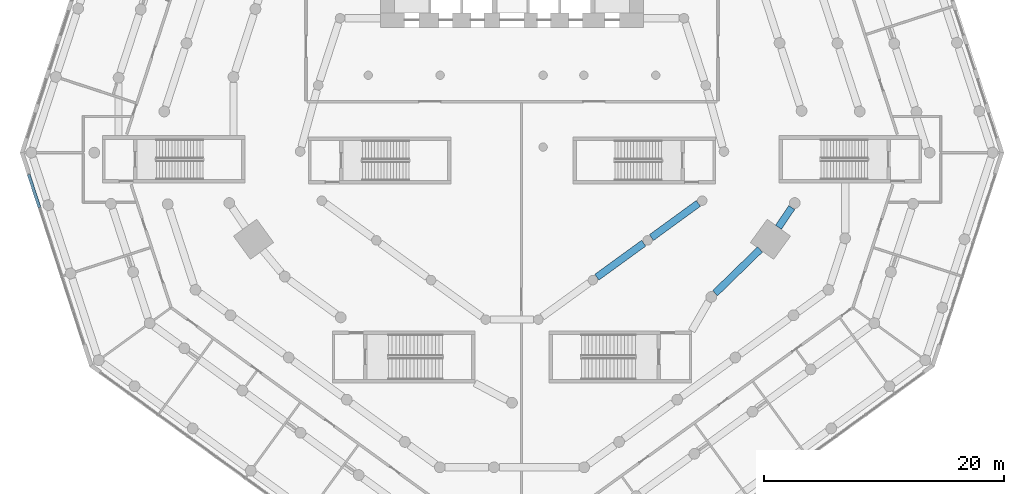
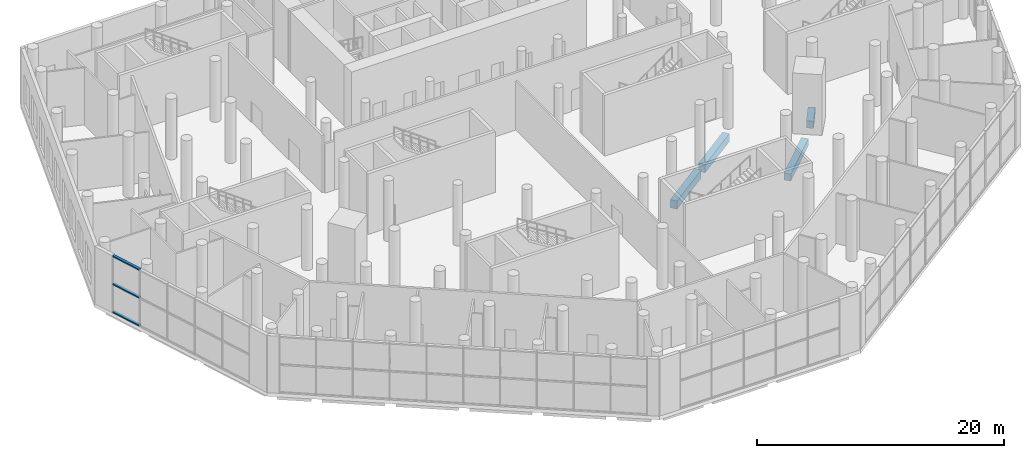
# One storey, part 5 of 23: 4 beams, 3 members, 1 element without a shape of its own.
"""IFC4 building model written with IfcOpenShell, lengths in metres."""

from ifc_helpers import new_model, si_unit, direction, frame, origin, origin_2d, place, context, subcontext, project, spatial, rectangle, extrude, material, material_profile, profile_set, type_object, element, aggregate, save


model = new_model("IFC4")

# Units and contexts
model_context = context("Model", 3, precision=1e-05, world=origin(), true_north=direction((0.0, 1.0)))
body_context = subcontext(model_context, "Body", "Model", "MODEL_VIEW")
ifc_project = project(units=[si_unit("LENGTHUNIT", "METRE"), si_unit("AREAUNIT", "SQUARE_METRE"), si_unit("VOLUMEUNIT", "CUBIC_METRE"), si_unit("PLANEANGLEUNIT", "RADIAN"), si_unit("MASSUNIT", "GRAM", prefix="KILO")], contexts=[model_context])

# Site, building, storey
site_placement = place(None, origin())
site = spatial("IfcSite", under=ifc_project, at=site_placement, CompositionType="ELEMENT")
building_placement = place(site_placement, origin())
building = spatial("IfcBuilding", under=site, at=building_placement, Name="White Candle Pilgrim Tower", CompositionType="ELEMENT")
storey_placement = place(building_placement, frame((0.0, 0.0, 9.0)))
storey = spatial("IfcBuildingStorey", under=building, at=storey_placement, Name="L01", CompositionType="ELEMENT", Elevation=9.0)

# Curtain wall, members
ifc_material_1 = material(Name="Aluminium and glass", Category="aluminium")
curtain_wall_type = type_object("IfcCurtainWallType", Name="Curtain wall CW1 hall glazing", PredefinedType="NOTDEFINED", material=ifc_material_1)
curtain_wall_placement = place(storey_placement, origin())
curtain_wall = element("IfcCurtainWall", 1, at=curtain_wall_placement, inside=storey, type_object=curtain_wall_type, Name="Curtain wall CW1 L01 W chamfer", PredefinedType="NOTDEFINED")
ifc_material_2 = material(Name="Aluminium", Category="aluminium")
ifc_material_profile_1 = material_profile(ifc_material_2, rectangle(XDim=0.25, YDim=0.1201171875, at=origin_2d()), Name="CW1 transom 120x250")
ifc_profile_set_1 = profile_set([ifc_material_profile_1], Name="Aluminium")
member_type = type_object("IfcMemberType", Name="CW1 transom 120x250", PredefinedType="USERDEFINED", material=ifc_profile_set_1)
member_1_placement = place(storey_placement, frame((29.6455078125, 58.7109375, 0.06005859375), z_axis=(0.308995011864, -0.951063658565, 0.0), x_axis=(0.951063658565, 0.308995011864, 0.0)))
member_1 = element("IfcMember", 2, at=member_1_placement, type_object=member_type, Name="CW1 transom 1.1", ObjectType="TRANSOM", PredefinedType="USERDEFINED", context=body_context, shape_type="SweptSolid", body=[
    extrude(rectangle(XDim=0.25, YDim=0.1201171875, at=origin_2d()), origin(), (0.0, 0.0, 1.0), 2.909912109375),
])
member_2_placement = place(storey_placement, frame((29.6455078125, 58.7109375, 2.824951171875), z_axis=(0.308995011864, -0.951063658565, 0.0), x_axis=(0.951063658565, 0.308995011864, 0.0)))
member_2 = element("IfcMember", 3, at=member_2_placement, type_object=member_type, Name="CW1 transom 1.2", ObjectType="TRANSOM", PredefinedType="USERDEFINED", context=body_context, shape_type="SweptSolid", body=[
    extrude(rectangle(XDim=0.25, YDim=0.1201171875, at=origin_2d()), origin(), (0.0, 0.0, 1.0), 2.909912109375),
])
member_3_placement = place(storey_placement, frame((29.6455078125, 58.7109375, 5.590087890625), z_axis=(0.308995011864, -0.951063658565, 0.0), x_axis=(0.951063658565, 0.308995011864, 0.0)))
member_3 = element("IfcMember", 4, at=member_3_placement, type_object=member_type, Name="CW1 transom 1.3", ObjectType="TRANSOM", PredefinedType="USERDEFINED", context=body_context, shape_type="SweptSolid", body=[
    extrude(rectangle(XDim=0.25, YDim=0.1201171875, at=origin_2d()), origin(), (0.0, 0.0, 1.0), 2.909912109375),
])
aggregate(curtain_wall, [member_1, member_2, member_3])

# Beams
ifc_material_3 = material(Name="Concrete C50/60", Category="concrete")
ifc_material_profile_2 = material_profile(ifc_material_3, rectangle(XDim=0.60009765625, YDim=0.800048828125, at=origin_2d()), Name="RC-BM 600x800")
ifc_profile_set_2 = profile_set([ifc_material_profile_2], Name="Concrete C50/60")
beam_type_1 = type_object("IfcBeamType", Name="Ring beam RC-BM 600x800 C50/60", PredefinedType="BEAM", material=ifc_profile_set_2)
beam_1_placement = place(storey_placement, frame((77.08349609375, 50.135009765625, -0.75), z_axis=(0.809305595912, 0.587387821141, 0.0), x_axis=(-0.587387821141, 0.809305595912, 0.0)))
element("IfcBeam", 5, at=beam_1_placement, inside=storey, type_object=beam_type_1, Name="L01 ring beam R06", PredefinedType="BEAM", context=body_context, shape_type="SweptSolid", body=[
    extrude(rectangle(XDim=0.60009765625, YDim=0.800048828125, at=origin_2d()), origin(), (0.0, 0.0, 1.0), 4.835205078125),
])
beam_2_placement = place(storey_placement, frame((81.643310546875, 53.4453125, -0.75), z_axis=(0.808428473545, 0.588594430115, 0.0), x_axis=(-0.588594430115, 0.808428473545, 0.0)))
element("IfcBeam", 6, at=beam_2_placement, inside=storey, type_object=beam_type_1, Name="L01 ring beam R07", PredefinedType="BEAM", context=body_context, shape_type="SweptSolid", body=[
    extrude(rectangle(XDim=0.60009765625, YDim=0.800048828125, at=origin_2d()), origin(), (0.0, 0.0, 1.0), 4.841064453125),
])
ifc_material_profile_3 = material_profile(ifc_material_3, rectangle(XDim=0.60009765625, YDim=0.699951171875, at=origin_2d()), Name="RC-BM 600x700")
ifc_profile_set_3 = profile_set([ifc_material_profile_3], Name="Concrete C50/60")
beam_type_2 = type_object("IfcBeamType", Name="Spandrel beam RC-BM 600x700 C50/60", PredefinedType="BEAM", material=ifc_profile_set_3)
beam_3_placement = place(storey_placement, frame((86.96240234375, 48.8037109375, -0.699951171875), z_axis=(0.716431871675, 0.697657059914, 0.0), x_axis=(-0.697657059914, 0.716431871675, 0.0)))
element("IfcBeam", 7, at=beam_3_placement, inside=storey, type_object=beam_type_2, Name="L01 spandrel beam T06", PredefinedType="BEAM", context=body_context, shape_type="SweptSolid", body=[
    extrude(rectangle(XDim=0.60009765625, YDim=0.699951171875, at=origin_2d()), origin(), (0.0, 0.0, 1.0), 5.2275390625),
])
beam_4_placement = place(storey_placement, frame((92.248291015625, 54.297607421875, -0.699951171875), z_axis=(0.556617573138, 0.830768847077, 0.0), x_axis=(-0.830768847077, 0.556617573138, 0.0)))
element("IfcBeam", 8, at=beam_4_placement, inside=storey, type_object=beam_type_2, Name="L01 spandrel beam T07", PredefinedType="BEAM", context=body_context, shape_type="SweptSolid", body=[
    extrude(rectangle(XDim=0.60009765625, YDim=0.699951171875, at=origin_2d()), origin(), (0.0, 0.0, 1.0), 1.99658203125),
])

save(model, "model.ifc")
